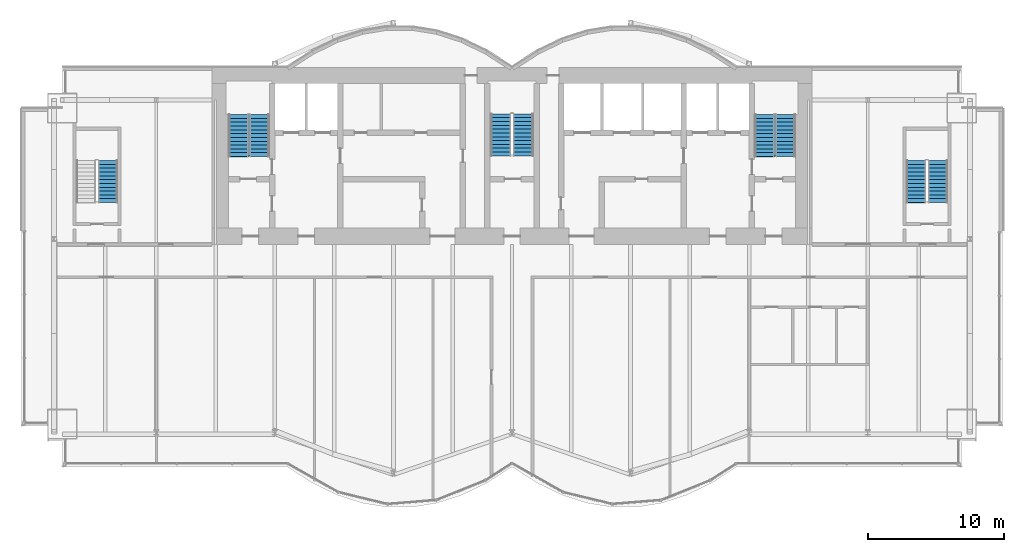
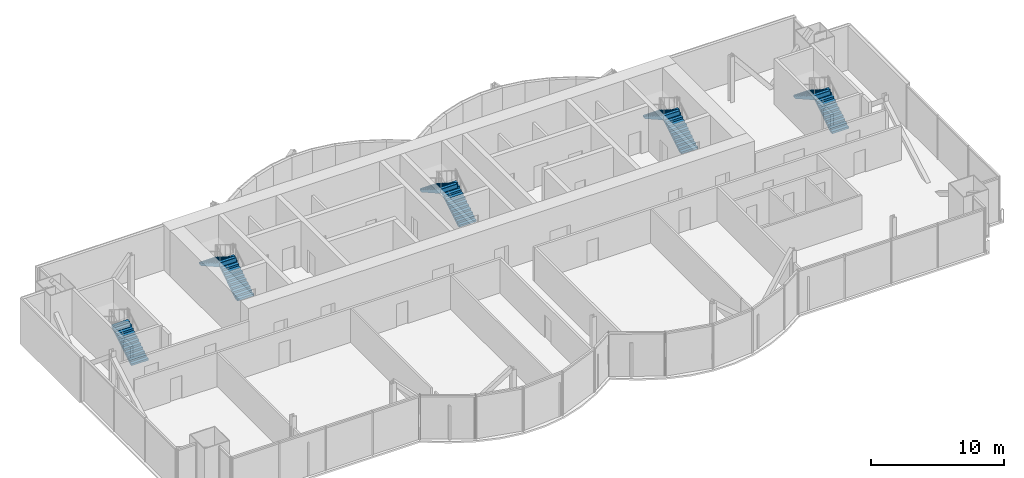
# One storey, part 16 of 19: 9 stair flights, 5 elements without a shape of their own.
"""IFC4 building model written with IfcOpenShell, lengths in metres."""

from ifc_helpers import new_model, si_unit, direction, frame, origin, place, context, subcontext, project, spatial, polyline, outline, extrude, material, type_object, element, aggregate, save


model = new_model("IFC4")

# Units and contexts
model_context = context("Model", 3, precision=1e-05, world=origin(), true_north=direction((0.0, 1.0)))
body_context = subcontext(model_context, "Body", "Model", "MODEL_VIEW")
ifc_project = project(units=[si_unit("LENGTHUNIT", "METRE"), si_unit("AREAUNIT", "SQUARE_METRE"), si_unit("VOLUMEUNIT", "CUBIC_METRE"), si_unit("PLANEANGLEUNIT", "RADIAN"), si_unit("MASSUNIT", "GRAM", prefix="KILO")], contexts=[model_context])

# Site, building, storey
site_placement = place(None, origin())
site = spatial("IfcSite", under=ifc_project, at=site_placement, CompositionType="ELEMENT")
building_placement = place(site_placement, origin())
building = spatial("IfcBuilding", under=site, at=building_placement, Name="Bicima Exchange Tower", CompositionType="ELEMENT")
storey_placement = place(building_placement, frame((0.0, 0.0, 258.199951171875)))
storey = spatial("IfcBuildingStorey", under=building, at=storey_placement, Name="L58", CompositionType="ELEMENT", Elevation=258.199951171875)

# Stair, stair flights
ifc_material = material(Name="Concrete C50/60", Category="concrete")
stair_type_1 = type_object("IfcStairType", Name="Exit stair", PredefinedType="HALF_TURN_STAIR", material=ifc_material)
stair_1_placement = place(storey_placement, origin())
stair_1 = element("IfcStair", 1, at=stair_1_placement, inside=storey, type_object=stair_type_1, Name="L58 West exit stair", PredefinedType="HALF_TURN_STAIR")
stair_flight_type_1 = type_object("IfcStairFlightType", Name="Stair flight RC", PredefinedType="STRAIGHT", material=ifc_material)
stair_flight_1_placement = place(storey_placement, frame((-18.52490234375, -6.550048828125, 0.0), z_axis=(0.0, 0.0, 1.0), x_axis=(0.0, 1.0, 0.0)))
stair_flight_1 = element("IfcStairFlight", 2, at=stair_flight_1_placement, type_object=stair_flight_type_1, Name="ST-W flight 1", NumberOfRisers=12, NumberOfTreads=11, PredefinedType="STRAIGHT", RiserHeight=0.175, TreadLength=0.28, context=body_context, shape_type="SweptSolid", body=[
    extrude(outline(polyline([(0.0, 0.0), (0.0, 0.175048828125), (0.280029296875, 0.175048828125), (0.280029296875, 0.35009765625), (0.56005859375, 0.35009765625), (0.56005859375, 0.52490234375), (0.840087890625, 0.52490234375), (0.840087890625, 0.699951171875), (1.1201171875, 0.699951171875), (1.1201171875, 0.875), (1.39990234375, 0.875), (1.39990234375, 1.050048828125), (1.679931640625, 1.050048828125), (1.679931640625, 1.22509765625), (1.9599609375, 1.22509765625), (1.9599609375, 1.39990234375), (2.239990234375, 1.39990234375), (2.239990234375, 1.574951171875), (2.52001953125, 1.574951171875), (2.52001953125, 1.75), (2.800048828125, 1.75), (2.800048828125, 1.925048828125), (3.080078125, 1.925048828125), (3.080078125, 2.10009765625), (3.080078125, 1.748291015625), (0.28271484375, 0.0), (0.0, 0.0)])), frame((0.0, 0.72509765625, 0.0), z_axis=(0.0, -1.0, 0.0), x_axis=(1.0, 0.0, 0.0)), (0.0, 0.0, 1.0), 1.449951171875),
])
stair_flight_2_placement = place(storey_placement, frame((-20.074951171875, -3.469970703125, 2.10009765625), z_axis=(0.0, 0.0, 1.0), x_axis=(0.0, -1.0, 0.0)))
stair_flight_2 = element("IfcStairFlight", 3, at=stair_flight_2_placement, type_object=stair_flight_type_1, Name="ST-W flight 2", NumberOfRisers=12, NumberOfTreads=11, PredefinedType="STRAIGHT", RiserHeight=0.175, TreadLength=0.28, context=body_context, shape_type="SweptSolid", body=[
    extrude(outline(polyline([(0.0, 0.0), (0.0, 0.175048828125), (0.280029296875, 0.175048828125), (0.280029296875, 0.35009765625), (0.56005859375, 0.35009765625), (0.56005859375, 0.52490234375), (0.840087890625, 0.52490234375), (0.840087890625, 0.699951171875), (1.1201171875, 0.699951171875), (1.1201171875, 0.875), (1.39990234375, 0.875), (1.39990234375, 1.050048828125), (1.679931640625, 1.050048828125), (1.679931640625, 1.22509765625), (1.9599609375, 1.22509765625), (1.9599609375, 1.39990234375), (2.239990234375, 1.39990234375), (2.239990234375, 1.574951171875), (2.52001953125, 1.574951171875), (2.52001953125, 1.75), (2.800048828125, 1.75), (2.800048828125, 1.925048828125), (3.080078125, 1.925048828125), (3.080078125, 1.9541015625), (3.094970703125, 1.9541015625), (3.094970703125, 1.58251953125), (0.28271484375, 0.0), (0.0, 0.0)])), frame((0.0, 0.72509765625, 0.0), z_axis=(0.0, -1.0, 0.0), x_axis=(1.0, 0.0, 0.0)), (0.0, 0.0, 1.0), 1.449951171875),
])
aggregate(stair_1, [stair_flight_1, stair_flight_2])

stair_2_placement = place(storey_placement, origin())
stair_2 = element("IfcStair", 4, at=stair_2_placement, inside=storey, type_object=stair_type_1, Name="L58 East exit stair", PredefinedType="HALF_TURN_STAIR")
stair_flight_3_placement = place(storey_placement, frame((20.074951171875, -6.550048828125, 0.0), z_axis=(0.0, 0.0, 1.0), x_axis=(0.0, 1.0, 0.0)))
stair_flight_3 = element("IfcStairFlight", 5, at=stair_flight_3_placement, type_object=stair_flight_type_1, Name="ST-E flight 1", NumberOfRisers=12, NumberOfTreads=11, PredefinedType="STRAIGHT", RiserHeight=0.175, TreadLength=0.28, context=body_context, shape_type="SweptSolid", body=[
    extrude(outline(polyline([(0.0, 0.0), (0.0, 0.175048828125), (0.280029296875, 0.175048828125), (0.280029296875, 0.35009765625), (0.56005859375, 0.35009765625), (0.56005859375, 0.52490234375), (0.840087890625, 0.52490234375), (0.840087890625, 0.699951171875), (1.1201171875, 0.699951171875), (1.1201171875, 0.875), (1.39990234375, 0.875), (1.39990234375, 1.050048828125), (1.679931640625, 1.050048828125), (1.679931640625, 1.22509765625), (1.9599609375, 1.22509765625), (1.9599609375, 1.39990234375), (2.239990234375, 1.39990234375), (2.239990234375, 1.574951171875), (2.52001953125, 1.574951171875), (2.52001953125, 1.75), (2.800048828125, 1.75), (2.800048828125, 1.925048828125), (3.080078125, 1.925048828125), (3.080078125, 2.10009765625), (3.080078125, 1.748291015625), (0.28271484375, 0.0), (0.0, 0.0)])), frame((0.0, 0.72509765625, 0.0), z_axis=(0.0, -1.0, 0.0), x_axis=(1.0, 0.0, 0.0)), (0.0, 0.0, 1.0), 1.449951171875),
])
stair_flight_4_placement = place(storey_placement, frame((18.52490234375, -3.469970703125, 2.10009765625), z_axis=(0.0, 0.0, 1.0), x_axis=(0.0, -1.0, 0.0)))
stair_flight_4 = element("IfcStairFlight", 6, at=stair_flight_4_placement, type_object=stair_flight_type_1, Name="ST-E flight 2", NumberOfRisers=12, NumberOfTreads=11, PredefinedType="STRAIGHT", RiserHeight=0.175, TreadLength=0.28, context=body_context, shape_type="SweptSolid", body=[
    extrude(outline(polyline([(0.0, 0.0), (0.0, 0.175048828125), (0.280029296875, 0.175048828125), (0.280029296875, 0.35009765625), (0.56005859375, 0.35009765625), (0.56005859375, 0.52490234375), (0.840087890625, 0.52490234375), (0.840087890625, 0.699951171875), (1.1201171875, 0.699951171875), (1.1201171875, 0.875), (1.39990234375, 0.875), (1.39990234375, 1.050048828125), (1.679931640625, 1.050048828125), (1.679931640625, 1.22509765625), (1.9599609375, 1.22509765625), (1.9599609375, 1.39990234375), (2.239990234375, 1.39990234375), (2.239990234375, 1.574951171875), (2.52001953125, 1.574951171875), (2.52001953125, 1.75), (2.800048828125, 1.75), (2.800048828125, 1.925048828125), (3.080078125, 1.925048828125), (3.080078125, 1.9541015625), (3.094970703125, 1.9541015625), (3.094970703125, 1.58251953125), (0.28271484375, 0.0), (0.0, 0.0)])), frame((0.0, 0.72509765625, 0.0), z_axis=(0.0, -1.0, 0.0), x_axis=(1.0, 0.0, 0.0)), (0.0, 0.0, 1.0), 1.449951171875),
])
aggregate(stair_2, [stair_flight_3, stair_flight_4])

# Stair, stair flight
stair_3_placement = place(storey_placement, origin())
stair_3 = element("IfcStair", 7, at=stair_3_placement, inside=storey, type_object=stair_type_1, Name="L58 West end exit stair", PredefinedType="HALF_TURN_STAIR")
stair_flight_5_placement = place(storey_placement, frame((-29.64990234375, -9.925048828125, 0.0), z_axis=(0.0, 0.0, 1.0), x_axis=(0.0, 1.0, 0.0)))
stair_flight_5 = element("IfcStairFlight", 8, at=stair_flight_5_placement, type_object=stair_flight_type_1, Name="ST-WW flight 1", NumberOfRisers=12, NumberOfTreads=11, PredefinedType="STRAIGHT", RiserHeight=0.175, TreadLength=0.28, context=body_context, shape_type="SweptSolid", body=[
    extrude(outline(polyline([(0.0, 0.0), (0.0, 0.175048828125), (0.280029296875, 0.175048828125), (0.280029296875, 0.35009765625), (0.56005859375, 0.35009765625), (0.56005859375, 0.52490234375), (0.840087890625, 0.52490234375), (0.840087890625, 0.699951171875), (1.1201171875, 0.699951171875), (1.1201171875, 0.875), (1.39990234375, 0.875), (1.39990234375, 1.050048828125), (1.679931640625, 1.050048828125), (1.679931640625, 1.22509765625), (1.9599609375, 1.22509765625), (1.9599609375, 1.39990234375), (2.239990234375, 1.39990234375), (2.239990234375, 1.574951171875), (2.52001953125, 1.574951171875), (2.52001953125, 1.75), (2.800048828125, 1.75), (2.800048828125, 1.925048828125), (3.080078125, 1.925048828125), (3.080078125, 2.10009765625), (3.080078125, 1.748291015625), (0.28271484375, 0.0), (0.0, 0.0)])), frame((0.0, 0.72509765625, 0.0), z_axis=(0.0, -1.0, 0.0), x_axis=(1.0, 0.0, 0.0)), (0.0, 0.0, 1.0), 1.449951171875),
])
aggregate(stair_3, [stair_flight_5])

# Stair, stair flights
stair_4_placement = place(storey_placement, origin())
stair_4 = element("IfcStair", 9, at=stair_4_placement, inside=storey, type_object=stair_type_1, Name="L58 East end exit stair", PredefinedType="HALF_TURN_STAIR")
stair_flight_6_placement = place(storey_placement, frame((31.25, -9.925048828125, 0.0), z_axis=(0.0, 0.0, 1.0), x_axis=(0.0, 1.0, 0.0)))
stair_flight_6 = element("IfcStairFlight", 10, at=stair_flight_6_placement, type_object=stair_flight_type_1, Name="ST-EE flight 1", NumberOfRisers=12, NumberOfTreads=11, PredefinedType="STRAIGHT", RiserHeight=0.175, TreadLength=0.28, context=body_context, shape_type="SweptSolid", body=[
    extrude(outline(polyline([(0.0, 0.0), (0.0, 0.175048828125), (0.280029296875, 0.175048828125), (0.280029296875, 0.35009765625), (0.56005859375, 0.35009765625), (0.56005859375, 0.52490234375), (0.840087890625, 0.52490234375), (0.840087890625, 0.699951171875), (1.1201171875, 0.699951171875), (1.1201171875, 0.875), (1.39990234375, 0.875), (1.39990234375, 1.050048828125), (1.679931640625, 1.050048828125), (1.679931640625, 1.22509765625), (1.9599609375, 1.22509765625), (1.9599609375, 1.39990234375), (2.239990234375, 1.39990234375), (2.239990234375, 1.574951171875), (2.52001953125, 1.574951171875), (2.52001953125, 1.75), (2.800048828125, 1.75), (2.800048828125, 1.925048828125), (3.080078125, 1.925048828125), (3.080078125, 2.10009765625), (3.080078125, 1.748291015625), (0.28271484375, 0.0), (0.0, 0.0)])), frame((0.0, 0.72509765625, 0.0), z_axis=(0.0, -1.0, 0.0), x_axis=(1.0, 0.0, 0.0)), (0.0, 0.0, 1.0), 1.449951171875),
])
stair_flight_7_placement = place(storey_placement, frame((29.64990234375, -6.844970703125, 2.10009765625), z_axis=(0.0, 0.0, 1.0), x_axis=(0.0, -1.0, 0.0)))
stair_flight_7 = element("IfcStairFlight", 11, at=stair_flight_7_placement, type_object=stair_flight_type_1, Name="ST-EE flight 2", NumberOfRisers=12, NumberOfTreads=11, PredefinedType="STRAIGHT", RiserHeight=0.175, TreadLength=0.28, context=body_context, shape_type="SweptSolid", body=[
    extrude(outline(polyline([(0.0, 0.0), (0.0, 0.175048828125), (0.280029296875, 0.175048828125), (0.280029296875, 0.35009765625), (0.56005859375, 0.35009765625), (0.56005859375, 0.52490234375), (0.840087890625, 0.52490234375), (0.840087890625, 0.699951171875), (1.1201171875, 0.699951171875), (1.1201171875, 0.875), (1.39990234375, 0.875), (1.39990234375, 1.050048828125), (1.679931640625, 1.050048828125), (1.679931640625, 1.22509765625), (1.9599609375, 1.22509765625), (1.9599609375, 1.39990234375), (2.239990234375, 1.39990234375), (2.239990234375, 1.574951171875), (2.52001953125, 1.574951171875), (2.52001953125, 1.75), (2.800048828125, 1.75), (2.800048828125, 1.925048828125), (3.080078125, 1.925048828125), (3.080078125, 1.9541015625), (3.094970703125, 1.9541015625), (3.094970703125, 1.58251953125), (0.28271484375, 0.0), (0.0, 0.0)])), frame((0.0, 0.72509765625, 0.0), z_axis=(0.0, -1.0, 0.0), x_axis=(1.0, 0.0, 0.0)), (0.0, 0.0, 1.0), 1.449951171875),
])
aggregate(stair_4, [stair_flight_6, stair_flight_7])

stair_type_2 = type_object("IfcStairType", Name="Exit stair 1500", PredefinedType="HALF_TURN_STAIR", material=ifc_material)
stair_5_placement = place(storey_placement, origin())
stair_5 = element("IfcStair", 12, at=stair_5_placement, inside=storey, type_object=stair_type_2, Name="L58 Central exit stair", PredefinedType="HALF_TURN_STAIR")
stair_flight_type_2 = type_object("IfcStairFlightType", Name="Stair flight RC 1500", PredefinedType="STRAIGHT", material=ifc_material)
stair_flight_8_placement = place(storey_placement, frame((0.824951171875, -6.5, 0.0), z_axis=(0.0, 0.0, 1.0), x_axis=(0.0, 1.0, 0.0)))
stair_flight_8 = element("IfcStairFlight", 13, at=stair_flight_8_placement, type_object=stair_flight_type_2, Name="ST-C flight 1", NumberOfRisers=12, NumberOfTreads=11, PredefinedType="STRAIGHT", RiserHeight=0.175, TreadLength=0.28, context=body_context, shape_type="SweptSolid", body=[
    extrude(outline(polyline([(0.0, 0.0), (0.0, 0.175048828125), (0.280029296875, 0.175048828125), (0.280029296875, 0.35009765625), (0.56005859375, 0.35009765625), (0.56005859375, 0.52490234375), (0.840087890625, 0.52490234375), (0.840087890625, 0.699951171875), (1.1201171875, 0.699951171875), (1.1201171875, 0.875), (1.39990234375, 0.875), (1.39990234375, 1.050048828125), (1.679931640625, 1.050048828125), (1.679931640625, 1.22509765625), (1.9599609375, 1.22509765625), (1.9599609375, 1.39990234375), (2.239990234375, 1.39990234375), (2.239990234375, 1.574951171875), (2.52001953125, 1.574951171875), (2.52001953125, 1.75), (2.800048828125, 1.75), (2.800048828125, 1.925048828125), (3.080078125, 1.925048828125), (3.080078125, 2.10009765625), (3.080078125, 1.748291015625), (0.28271484375, 0.0), (0.0, 0.0)])), frame((0.0, 0.75, 0.0), z_axis=(0.0, -1.0, 0.0), x_axis=(1.0, 0.0, 0.0)), (0.0, 0.0, 1.0), 1.5),
])
stair_flight_9_placement = place(storey_placement, frame((-0.824951171875, -3.419921875, 2.10009765625), z_axis=(0.0, 0.0, 1.0), x_axis=(0.0, -1.0, 0.0)))
stair_flight_9 = element("IfcStairFlight", 14, at=stair_flight_9_placement, type_object=stair_flight_type_2, Name="ST-C flight 2", NumberOfRisers=12, NumberOfTreads=11, PredefinedType="STRAIGHT", RiserHeight=0.175, TreadLength=0.28, context=body_context, shape_type="SweptSolid", body=[
    extrude(outline(polyline([(0.0, 0.0), (0.0, 0.175048828125), (0.280029296875, 0.175048828125), (0.280029296875, 0.35009765625), (0.56005859375, 0.35009765625), (0.56005859375, 0.52490234375), (0.840087890625, 0.52490234375), (0.840087890625, 0.699951171875), (1.1201171875, 0.699951171875), (1.1201171875, 0.875), (1.39990234375, 0.875), (1.39990234375, 1.050048828125), (1.679931640625, 1.050048828125), (1.679931640625, 1.22509765625), (1.9599609375, 1.22509765625), (1.9599609375, 1.39990234375), (2.239990234375, 1.39990234375), (2.239990234375, 1.574951171875), (2.52001953125, 1.574951171875), (2.52001953125, 1.75), (2.800048828125, 1.75), (2.800048828125, 1.925048828125), (3.080078125, 1.925048828125), (3.080078125, 1.9541015625), (3.094970703125, 1.9541015625), (3.094970703125, 1.58251953125), (0.28271484375, 0.0), (0.0, 0.0)])), frame((0.0, 0.75, 0.0), z_axis=(0.0, -1.0, 0.0), x_axis=(1.0, 0.0, 0.0)), (0.0, 0.0, 1.0), 1.5),
])
aggregate(stair_5, [stair_flight_8, stair_flight_9])

save(model, "model.ifc")
